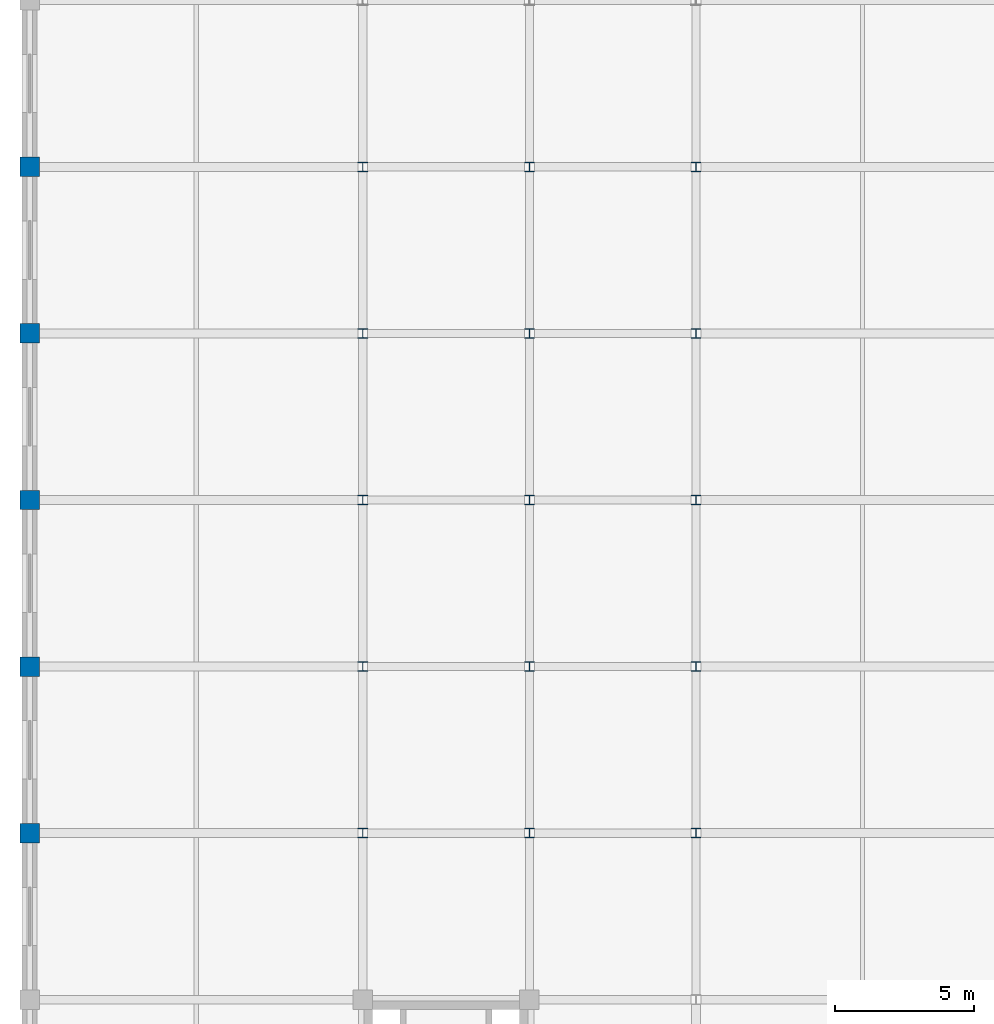
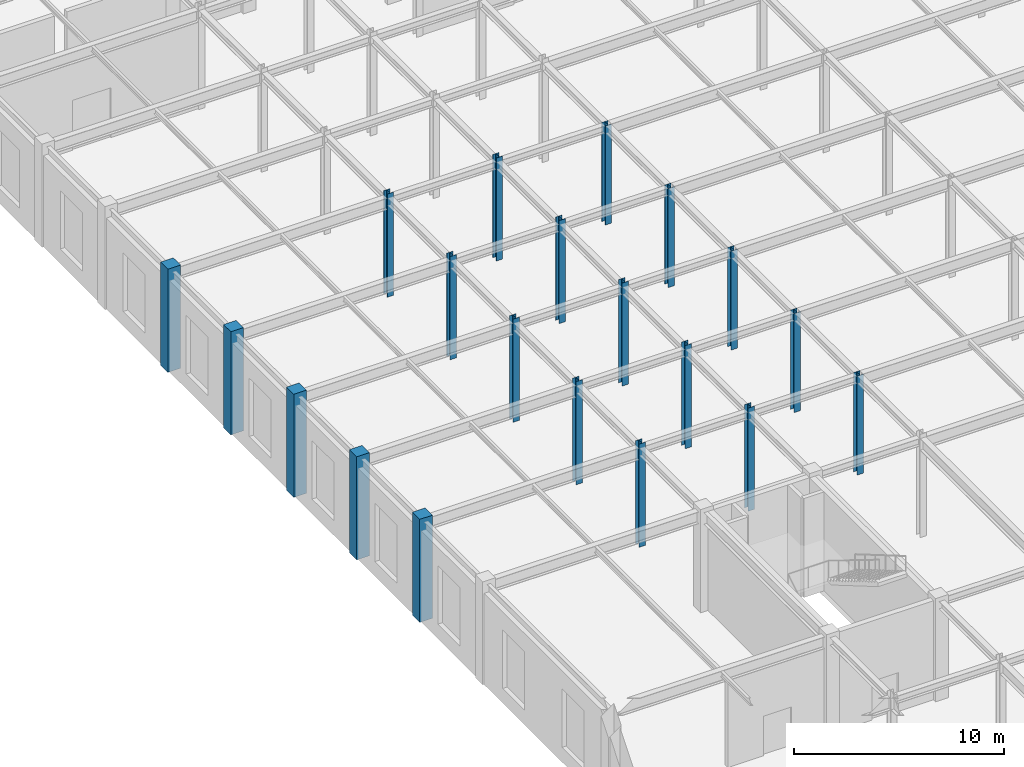
# One storey, part 5 of 51: 20 columns.
"""IFC4 building model written with IfcOpenShell, lengths in metres."""

from ifc_helpers import new_model, si_unit, direction, frame, origin, origin_2d, place, context, subcontext, project, spatial, rectangle, i_section, extrude, material, material_profile, profile_set, type_object, element, save


model = new_model("IFC4")

# Units and contexts
model_context = context("Model", 3, precision=1e-05, world=origin(), true_north=direction((0.0, 1.0)))
body_context = subcontext(model_context, "Body", "Model", "MODEL_VIEW")
ifc_project = project(units=[si_unit("LENGTHUNIT", "METRE"), si_unit("AREAUNIT", "SQUARE_METRE"), si_unit("VOLUMEUNIT", "CUBIC_METRE"), si_unit("PLANEANGLEUNIT", "RADIAN"), si_unit("MASSUNIT", "GRAM", prefix="KILO")], contexts=[model_context])

# Site, building, storey
site_placement = place(None, origin())
site = spatial("IfcSite", under=ifc_project, at=site_placement, CompositionType="ELEMENT")
building_placement = place(site_placement, origin())
building = spatial("IfcBuilding", under=site, at=building_placement, Name="Zlatovratsky Civic Hall", CompositionType="ELEMENT")
storey_placement = place(building_placement, origin())
storey = spatial("IfcBuildingStorey", under=building, at=storey_placement, Name="L01", CompositionType="ELEMENT", Elevation=0.0)

# Columns
ifc_material_1 = material(Name="Concrete C35/45 (B40)", Category="concrete")
ifc_material_profile_1 = material_profile(ifc_material_1, rectangle(XDim=0.699951171875, YDim=0.699951171875, at=origin_2d()), Name="RC 700x700")
ifc_profile_set_1 = profile_set([ifc_material_profile_1], Name="Concrete C35/45 (B40)")
column_type_1 = type_object("IfcColumnType", Name="Col_CorePier_RC700", PredefinedType="COLUMN", material=ifc_profile_set_1)
for number, where, z_axis, x_axis, name in (
    (1, (0.0, 36.0, 0.0), (0.0, 0.0, 1.0), (1.0, 0.0, 0.0), "CL-0500"),
    (2, (0.0, 42.0, 0.0), (0.0, 0.0, 1.0), (1.0, 0.0, 0.0), "CL-0523"),
    (3, (0.0, 48.0, 0.0), (0.0, 0.0, 1.0), (1.0, 0.0, 0.0), "CL-0546"),
    (4, (0.0, 54.0, 0.0), (0.0, 0.0, 1.0), (1.0, 0.0, 0.0), "CL-0569"),
    (5, (0.0, 60.0, 0.0), (0.0, 0.0, 1.0), (1.0, 0.0, 0.0), "CL-0592"),
):
    element("IfcColumn", number, at=place(storey_placement, frame(where, z_axis=z_axis, x_axis=x_axis)), inside=storey, type_object=column_type_1, Name=name, PredefinedType="COLUMN", context=body_context, shape_type="SweptSolid", body=[
        extrude(rectangle(XDim=0.699951171875, YDim=0.699951171875, at=origin_2d()), origin(), (0.0, 0.0, 1.0), 6.0),
    ])
ifc_material_2 = material(Name="Steel S355", Category="steel")
ifc_material_profile_2 = material_profile(ifc_material_2, i_section(OverallWidth=0.35009765625, OverallDepth=0.343017578125, WebThickness=0.010009765625, FlangeThickness=0.014892578125, FilletRadius=0.02001953125, at=origin_2d()), Name="35K1")
ifc_profile_set_2 = profile_set([ifc_material_profile_2], Name="Steel S355")
column_type_2 = type_object("IfcColumnType", Name="Col_Steel_35K1", PredefinedType="COLUMN", material=ifc_profile_set_2)
for number, where, z_axis, x_axis, name in (
    (6, (12.0, 36.0, 0.0), (0.0, 0.0, 1.0), (1.0, 0.0, 0.0), "CL-0501"),
    (7, (18.0, 36.0, 0.0), (0.0, 0.0, 1.0), (1.0, 0.0, 0.0), "CL-0502"),
):
    element("IfcColumn", number, at=place(storey_placement, frame(where, z_axis=z_axis, x_axis=x_axis)), inside=storey, type_object=column_type_2, Name=name, PredefinedType="COLUMN", context=body_context, shape_type="SweptSolid", body=[
        extrude(i_section(OverallWidth=0.35009765625, OverallDepth=0.343017578125, WebThickness=0.010009765625, FlangeThickness=0.014892578125, FilletRadius=0.02001953125, at=origin_2d()), origin(), (0.0, 0.0, 1.0), 6.0),
    ])
column_1_placement = place(storey_placement, frame((24.0, 36.0, 0.0), z_axis=(0.0, 0.0, 1.0), x_axis=(1.0, 0.0, 0.0)))
element("IfcColumn", 8, at=column_1_placement, inside=storey, type_object=column_type_2, Name="CL-0503", PredefinedType="COLUMN", context=body_context, shape_type="SweptSolid", body=[
    extrude(i_section(OverallWidth=0.35009765625, OverallDepth=0.343017578125, WebThickness=0.010009765625, FlangeThickness=0.014892578125, FilletRadius=0.02001953125, at=origin_2d()), origin(), (0.0, 0.0, 1.0), 5.760009765625),
])
for number, where, z_axis, x_axis, name in (
    (9, (12.0, 42.0, 0.0), (0.0, 0.0, 1.0), (1.0, 0.0, 0.0), "CL-0524"),
    (10, (18.0, 42.0, 0.0), (0.0, 0.0, 1.0), (1.0, 0.0, 0.0), "CL-0525"),
):
    element("IfcColumn", number, at=place(storey_placement, frame(where, z_axis=z_axis, x_axis=x_axis)), inside=storey, type_object=column_type_2, Name=name, PredefinedType="COLUMN", context=body_context, shape_type="SweptSolid", body=[
        extrude(i_section(OverallWidth=0.35009765625, OverallDepth=0.343017578125, WebThickness=0.010009765625, FlangeThickness=0.014892578125, FilletRadius=0.02001953125, at=origin_2d()), origin(), (0.0, 0.0, 1.0), 6.0),
    ])
column_2_placement = place(storey_placement, frame((24.0, 42.0, 0.0), z_axis=(0.0, 0.0, 1.0), x_axis=(1.0, 0.0, 0.0)))
element("IfcColumn", 11, at=column_2_placement, inside=storey, type_object=column_type_2, Name="CL-0526", PredefinedType="COLUMN", context=body_context, shape_type="SweptSolid", body=[
    extrude(i_section(OverallWidth=0.35009765625, OverallDepth=0.343017578125, WebThickness=0.010009765625, FlangeThickness=0.014892578125, FilletRadius=0.02001953125, at=origin_2d()), origin(), (0.0, 0.0, 1.0), 5.760009765625),
])
for number, where, z_axis, x_axis, name in (
    (12, (12.0, 48.0, 0.0), (0.0, 0.0, 1.0), (1.0, 0.0, 0.0), "CL-0547"),
    (13, (18.0, 48.0, 0.0), (0.0, 0.0, 1.0), (1.0, 0.0, 0.0), "CL-0548"),
):
    element("IfcColumn", number, at=place(storey_placement, frame(where, z_axis=z_axis, x_axis=x_axis)), inside=storey, type_object=column_type_2, Name=name, PredefinedType="COLUMN", context=body_context, shape_type="SweptSolid", body=[
        extrude(i_section(OverallWidth=0.35009765625, OverallDepth=0.343017578125, WebThickness=0.010009765625, FlangeThickness=0.014892578125, FilletRadius=0.02001953125, at=origin_2d()), origin(), (0.0, 0.0, 1.0), 6.0),
    ])
column_3_placement = place(storey_placement, frame((24.0, 48.0, 0.0), z_axis=(0.0, 0.0, 1.0), x_axis=(1.0, 0.0, 0.0)))
element("IfcColumn", 14, at=column_3_placement, inside=storey, type_object=column_type_2, Name="CL-0549", PredefinedType="COLUMN", context=body_context, shape_type="SweptSolid", body=[
    extrude(i_section(OverallWidth=0.35009765625, OverallDepth=0.343017578125, WebThickness=0.010009765625, FlangeThickness=0.014892578125, FilletRadius=0.02001953125, at=origin_2d()), origin(), (0.0, 0.0, 1.0), 5.760009765625),
])
for number, where, z_axis, x_axis, name in (
    (15, (12.0, 54.0, 0.0), (0.0, 0.0, 1.0), (1.0, 0.0, 0.0), "CL-0570"),
    (16, (18.0, 54.0, 0.0), (0.0, 0.0, 1.0), (1.0, 0.0, 0.0), "CL-0571"),
):
    element("IfcColumn", number, at=place(storey_placement, frame(where, z_axis=z_axis, x_axis=x_axis)), inside=storey, type_object=column_type_2, Name=name, PredefinedType="COLUMN", context=body_context, shape_type="SweptSolid", body=[
        extrude(i_section(OverallWidth=0.35009765625, OverallDepth=0.343017578125, WebThickness=0.010009765625, FlangeThickness=0.014892578125, FilletRadius=0.02001953125, at=origin_2d()), origin(), (0.0, 0.0, 1.0), 6.0),
    ])
column_4_placement = place(storey_placement, frame((24.0, 54.0, 0.0), z_axis=(0.0, 0.0, 1.0), x_axis=(1.0, 0.0, 0.0)))
element("IfcColumn", 17, at=column_4_placement, inside=storey, type_object=column_type_2, Name="CL-0572", PredefinedType="COLUMN", context=body_context, shape_type="SweptSolid", body=[
    extrude(i_section(OverallWidth=0.35009765625, OverallDepth=0.343017578125, WebThickness=0.010009765625, FlangeThickness=0.014892578125, FilletRadius=0.02001953125, at=origin_2d()), origin(), (0.0, 0.0, 1.0), 5.760009765625),
])
for number, where, z_axis, x_axis, name in (
    (18, (12.0, 60.0, 0.0), (0.0, 0.0, 1.0), (1.0, 0.0, 0.0), "CL-0593"),
    (19, (18.0, 60.0, 0.0), (0.0, 0.0, 1.0), (1.0, 0.0, 0.0), "CL-0594"),
):
    element("IfcColumn", number, at=place(storey_placement, frame(where, z_axis=z_axis, x_axis=x_axis)), inside=storey, type_object=column_type_2, Name=name, PredefinedType="COLUMN", context=body_context, shape_type="SweptSolid", body=[
        extrude(i_section(OverallWidth=0.35009765625, OverallDepth=0.343017578125, WebThickness=0.010009765625, FlangeThickness=0.014892578125, FilletRadius=0.02001953125, at=origin_2d()), origin(), (0.0, 0.0, 1.0), 6.0),
    ])
column_5_placement = place(storey_placement, frame((24.0, 60.0, 0.0), z_axis=(0.0, 0.0, 1.0), x_axis=(1.0, 0.0, 0.0)))
element("IfcColumn", 20, at=column_5_placement, inside=storey, type_object=column_type_2, Name="CL-0595", PredefinedType="COLUMN", context=body_context, shape_type="SweptSolid", body=[
    extrude(i_section(OverallWidth=0.35009765625, OverallDepth=0.343017578125, WebThickness=0.010009765625, FlangeThickness=0.014892578125, FilletRadius=0.02001953125, at=origin_2d()), origin(), (0.0, 0.0, 1.0), 5.760009765625),
])

save(model, "model.ifc")
